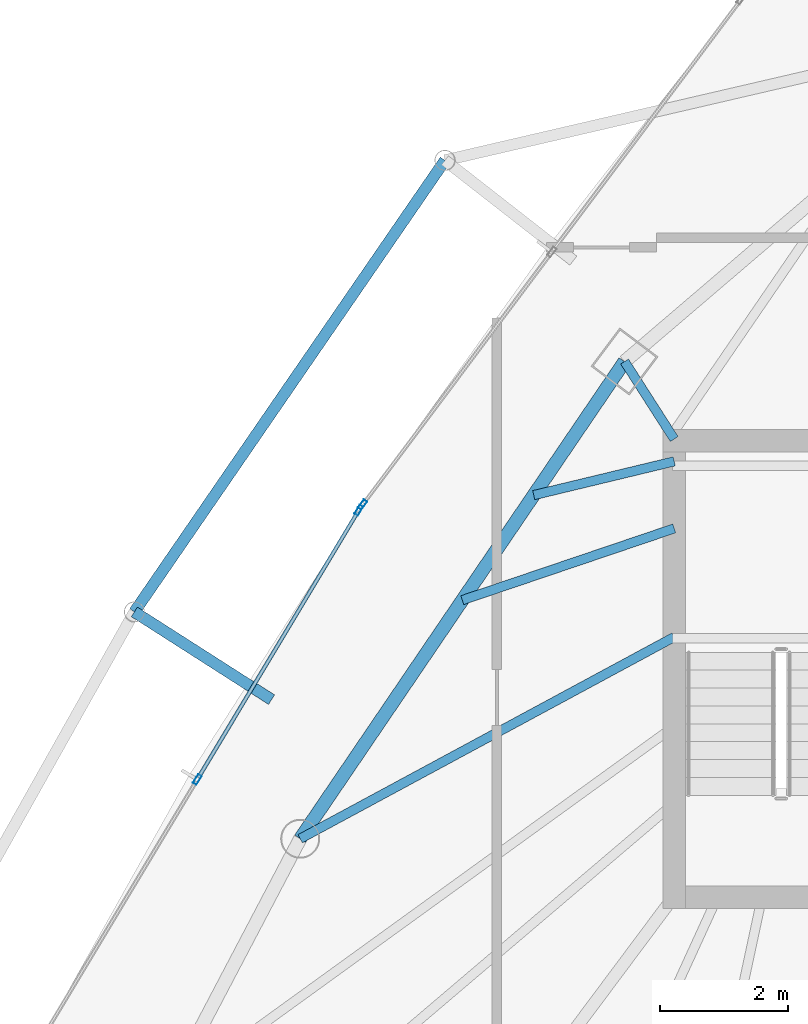
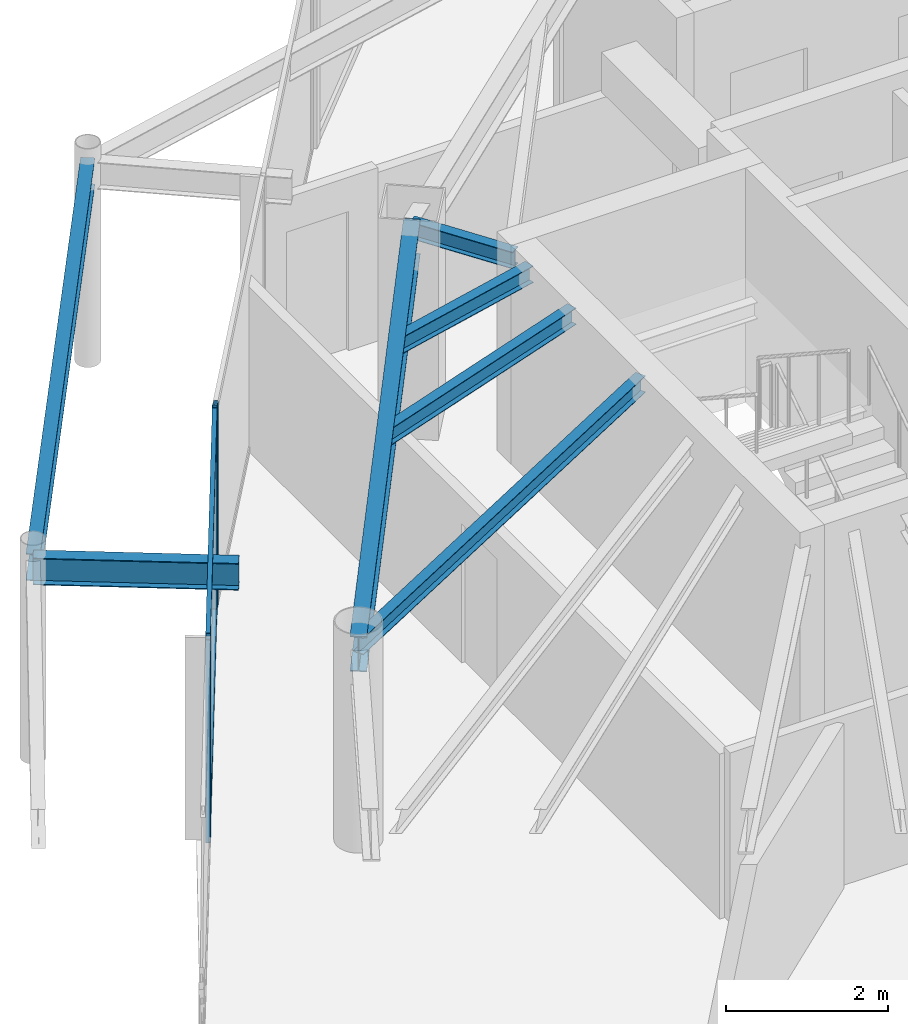
# One storey, part 12 of 30: 7 beams, 5 members, 2 elements without a shape of their own.
"""IFC4 building model written with IfcOpenShell, lengths in metres."""

from ifc_helpers import new_model, si_unit, direction, frame, origin, origin_2d, place, context, subcontext, project, spatial, hollow_rectangle, i_section, extrude, material, layer, layer_set, material_profile, profile_set, type_object, element, aggregate, save


model = new_model("IFC4")

# Units and contexts
model_context = context("Model", 3, precision=1e-05, world=origin(), true_north=direction((0.0, 1.0)))
body_context = subcontext(model_context, "Body", "Model", "MODEL_VIEW")
ifc_project = project(units=[si_unit("LENGTHUNIT", "METRE"), si_unit("AREAUNIT", "SQUARE_METRE"), si_unit("VOLUMEUNIT", "CUBIC_METRE"), si_unit("PLANEANGLEUNIT", "RADIAN"), si_unit("MASSUNIT", "GRAM", prefix="KILO")], contexts=[model_context])

# Site, building, storey
site_placement = place(None, origin())
site = spatial("IfcSite", under=ifc_project, at=site_placement, CompositionType="ELEMENT")
building_placement = place(site_placement, origin())
building = spatial("IfcBuilding", under=site, at=building_placement, Name="Orvanel Arch Residences", CompositionType="ELEMENT")
storey_placement = place(building_placement, frame((0.0, 0.0, 229.39990234375)))
storey = spatial("IfcBuildingStorey", under=building, at=storey_placement, Name="L65", CompositionType="ELEMENT", Elevation=229.39990234375)

# Beams
ifc_material_1 = material(Name="Structural steel AS/NZS 3679.1 Grade 300 (300 MPa)", Category="steel")
ifc_material_profile_1 = material_profile(ifc_material_1, i_section(OverallWidth=0.14599609375, OverallDepth=0.251953125, WebThickness=0.006103515625, FlangeThickness=0.008544921875, at=origin_2d()), Name="250UB31.4")
ifc_profile_set_1 = profile_set([ifc_material_profile_1], Name="Structural steel AS/NZS 3679.1 Grade 300 (300 MPa)")
beam_type_1 = type_object("IfcBeamType", Name="BJ-250UB", PredefinedType="JOIST", material=ifc_profile_set_1)
beam_1_placement = place(storey_placement, frame((26.425048828125, 33.89990234375, 2.93408203125), z_axis=(-0.539395075146, 0.842052820735, 0.0), x_axis=(-0.842052820735, -0.539395075146, 0.0)))
element("IfcBeam", 1, at=beam_1_placement, inside=storey, type_object=beam_type_1, Name="L65 NNW Wing Floor Joist", PredefinedType="JOIST", context=body_context, shape_type="SweptSolid", body=[
    extrude(i_section(OverallWidth=0.14599609375, OverallDepth=0.251953125, WebThickness=0.006103515625, FlangeThickness=0.008544921875, at=origin_2d()), origin(), (0.0, 0.0, 1.0), 1.440673828125),
])
beam_2_placement = place(storey_placement, frame((26.425048828125, 30.800048828125, 2.93408203125), z_axis=(-0.880111494021, -0.474767056664, 0.0), x_axis=(0.474767056664, -0.880111494021, 0.0)))
element("IfcBeam", 2, at=beam_2_placement, inside=storey, type_object=beam_type_1, Name="L65 NW Wing Floor Joist", PredefinedType="JOIST", context=body_context, shape_type="SweptSolid", body=[
    extrude(i_section(OverallWidth=0.14599609375, OverallDepth=0.251953125, WebThickness=0.006103515625, FlangeThickness=0.008544921875, at=origin_2d()), origin(), (0.0, 0.0, 1.0), 6.653564453125),
])
beam_3_placement = place(storey_placement, frame((26.425048828125, 32.5, 2.93408203125), z_axis=(-0.947187956478, -0.320678928373, 0.0), x_axis=(0.320678928373, -0.947187956478, 0.0)))
element("IfcBeam", 3, at=beam_3_placement, inside=storey, type_object=beam_type_1, Name="L65 WNW Wing Floor Joist", PredefinedType="JOIST", context=body_context, shape_type="SweptSolid", body=[
    extrude(i_section(OverallWidth=0.14599609375, OverallDepth=0.251953125, WebThickness=0.006103515625, FlangeThickness=0.008544921875, at=origin_2d()), origin(), (0.0, 0.0, 1.0), 3.502197265625),
])
beam_4_placement = place(storey_placement, frame((26.425048828125, 33.550048828125, 2.93408203125), z_axis=(-0.972256833016, -0.23391590509, 0.0), x_axis=(0.23391590509, -0.972256833016, 0.0)))
element("IfcBeam", 4, at=beam_4_placement, inside=storey, type_object=beam_type_1, Name="L65 JADD3 Wing Floor Joist", PredefinedType="JOIST", context=body_context, shape_type="SweptSolid", body=[
    extrude(i_section(OverallWidth=0.14599609375, OverallDepth=0.251953125, WebThickness=0.006103515625, FlangeThickness=0.008544921875, at=origin_2d()), origin(), (0.0, 0.0, 1.0), 2.26171875),
])

# Curtain wall, member
ifc_material_2 = material(Name="Bronze-anodised aluminium AA6063-T6", Category="aluminium")
ifc_layer = layer(ifc_material_2, 0.175048828125)
ifc_layer_set = layer_set([ifc_layer], Name="Bronze-anodised aluminium AA6063-T6")
curtain_wall_type = type_object("IfcCurtainWallType", Name="CW4-HI-SYS", PredefinedType="NOTDEFINED", material=ifc_layer_set)
curtain_wall_1_placement = place(storey_placement, origin())
curtain_wall_1 = element("IfcCurtainWall", 5, at=curtain_wall_1_placement, inside=storey, type_object=curtain_wall_type, Name="L65 CW4-HI-SYS Unitised Curtain Wall", PredefinedType="NOTDEFINED")
ifc_material_profile_2 = material_profile(ifc_material_2, hollow_rectangle(XDim=0.06494140625, YDim=0.159912109375, WallThickness=0.00390625, at=origin_2d()), Name="ALU160x65x4")
ifc_profile_set_2 = profile_set([ifc_material_profile_2], Name="Bronze-anodised aluminium AA6063-T6")
member_type_1 = type_object("IfcMemberType", Name="MUL-160x65", PredefinedType="MULLION", material=ifc_profile_set_2)
member_1_placement = place(storey_placement, frame((21.54541015625, 32.8720703125, 0.0), z_axis=(0.0, 0.0, 1.0), x_axis=(0.800385756327, -0.599485313473, 0.0)))
member_1 = element("IfcMember", 6, at=member_1_placement, type_object=member_type_1, Name="CW-S4 mullion 3", PredefinedType="MULLION", context=body_context, shape_type="SweptSolid", body=[
    extrude(hollow_rectangle(XDim=0.06494140625, YDim=0.159912109375, WallThickness=0.00390625, at=origin_2d()), origin(), (0.0, 0.0, 1.0), 3.06005859375),
])
aggregate(curtain_wall_1, [member_1])

# Curtain wall, members
curtain_wall_2_placement = place(storey_placement, origin())
curtain_wall_2 = element("IfcCurtainWall", 7, at=curtain_wall_2_placement, inside=storey, type_object=curtain_wall_type, Name="L65 CW4-HI-SYS Unitised Curtain Wall", PredefinedType="NOTDEFINED")
member_2_placement = place(storey_placement, frame((21.4873046875, 32.78515625, 0.0), z_axis=(0.0, 0.0, 1.0), x_axis=(0.857528580719, -0.514436325748, 0.0)))
member_2 = element("IfcMember", 8, at=member_2_placement, type_object=member_type_1, Name="CW-S4 mullion 1", PredefinedType="MULLION", context=body_context, shape_type="SweptSolid", body=[
    extrude(hollow_rectangle(XDim=0.06494140625, YDim=0.159912109375, WallThickness=0.00390625, at=origin_2d()), origin(), (0.0, 0.0, 1.0), 3.06005859375),
])
member_3_placement = place(storey_placement, frame((18.9580078125, 28.569091796875, 0.0), z_axis=(0.0, 0.0, 1.0), x_axis=(0.857528580719, -0.514436325748, 0.0)))
member_3 = element("IfcMember", 9, at=member_3_placement, type_object=member_type_1, Name="CW-S4 mullion 2", PredefinedType="MULLION", context=body_context, shape_type="SweptSolid", body=[
    extrude(hollow_rectangle(XDim=0.06494140625, YDim=0.159912109375, WallThickness=0.00390625, at=origin_2d()), origin(), (0.0, 0.0, 1.0), 3.06005859375),
])

# Beams
ifc_material_profile_3 = material_profile(ifc_material_1, i_section(OverallWidth=0.177978515625, OverallDepth=0.406005859375, WebThickness=0.0078125, FlangeThickness=0.0126953125, at=origin_2d()), Name="410UB59.7")
ifc_profile_set_3 = profile_set([ifc_material_profile_3], Name="Structural steel AS/NZS 3679.1 Grade 300 (300 MPa)")
beam_type_2 = type_object("IfcBeamType", Name="OB-410UB-EXT", PredefinedType="SPANDREL", material=ifc_profile_set_3)
beam_5_placement = place(storey_placement, frame((22.8359375, 38.262939453125, 2.857177734375), z_axis=(-0.566729250938, -0.823904094013, 0.0), x_axis=(0.823904094013, -0.566729250938, 0.0)))
element("IfcBeam", 10, at=beam_5_placement, inside=storey, type_object=beam_type_2, Name="L65 Outer Perimeter Floor Ring Beam 01", PredefinedType="SPANDREL", context=body_context, shape_type="SweptSolid", body=[
    extrude(i_section(OverallWidth=0.177978515625, OverallDepth=0.406005859375, WebThickness=0.0078125, FlangeThickness=0.0126953125, at=origin_2d()), origin(), (0.0, 0.0, 1.0), 8.580810546875),
])
beam_6_placement = place(storey_placement, frame((20.12109375, 29.819091796875, 2.857177734375), z_axis=(-0.842417425066, 0.538825465197, 0.0), x_axis=(-0.538825465197, -0.842417425066, 0.0)))
element("IfcBeam", 11, at=beam_6_placement, inside=storey, type_object=beam_type_2, Name="L65 Outer Frame Radial Tie Beam 02", PredefinedType="SPANDREL", context=body_context, shape_type="SweptSolid", body=[
    extrude(i_section(OverallWidth=0.177978515625, OverallDepth=0.406005859375, WebThickness=0.0078125, FlangeThickness=0.0126953125, at=origin_2d()), origin(), (0.0, 0.0, 1.0), 2.550048828125),
])
ifc_material_profile_4 = material_profile(ifc_material_1, i_section(OverallWidth=0.208984375, OverallDepth=0.532958984375, WebThickness=0.01025390625, FlangeThickness=0.015625, at=origin_2d()), Name="530UB92.4")
ifc_profile_set_4 = profile_set([ifc_material_profile_4], Name="Structural steel AS/NZS 3679.1 Grade 300 (300 MPa)")
beam_type_3 = type_object("IfcBeamType", Name="SP-530UB", PredefinedType="SPANDREL", material=ifc_profile_set_4)
beam_7_placement = place(storey_placement, frame((25.64794921875, 35.113037109375, 2.794189453125), z_axis=(-0.562154793153, -0.827032035978, 0.0), x_axis=(0.827032035978, -0.562154793153, 0.0)))
element("IfcBeam", 12, at=beam_7_placement, inside=storey, type_object=beam_type_3, Name="L65 Perimeter Spandrel Beam 11", PredefinedType="SPANDREL", context=body_context, shape_type="SweptSolid", body=[
    extrude(i_section(OverallWidth=0.208984375, OverallDepth=0.532958984375, WebThickness=0.01025390625, FlangeThickness=0.015625, at=origin_2d()), origin(), (0.0, 0.0, 1.0), 9.03466796875),
])

# Member
ifc_material_profile_5 = material_profile(ifc_material_2, hollow_rectangle(XDim=0.06005859375, YDim=0.1201171875, WallThickness=0.00341796875, at=origin_2d()), Name="ALU120x60x3.5")
ifc_profile_set_5 = profile_set([ifc_material_profile_5], Name="Bronze-anodised aluminium AA6063-T6")
member_type_2 = type_object("IfcMemberType", Name="TRN-120x60", PredefinedType="USERDEFINED", material=ifc_profile_set_5)
member_4_placement = place(storey_placement, frame((21.470458984375, 32.75732421875, 0.030029296875), z_axis=(-0.514436552453, -0.857528444718, 0.0), x_axis=(0.857528444718, -0.514436552453, 0.0)))
member_4 = element("IfcMember", 13, at=member_4_placement, type_object=member_type_2, Name="CW-S4 transom 1.1", ObjectType="TRANSOM", PredefinedType="USERDEFINED", context=body_context, shape_type="SweptSolid", body=[
    extrude(hollow_rectangle(XDim=0.06005859375, YDim=0.1201171875, WallThickness=0.00341796875, at=origin_2d()), origin(), (0.0, 0.0, 1.0), 4.8515625),
])

member_5_placement = place(storey_placement, frame((21.470458984375, 32.75732421875, 3.030029296875), z_axis=(-0.514436552453, -0.857528444718, 0.0), x_axis=(0.857528444718, -0.514436552453, 0.0)))
member_5 = element("IfcMember", 14, at=member_5_placement, type_object=member_type_2, Name="CW-S4 transom 1.2", ObjectType="TRANSOM", PredefinedType="USERDEFINED", context=body_context, shape_type="SweptSolid", body=[
    extrude(hollow_rectangle(XDim=0.06005859375, YDim=0.1201171875, WallThickness=0.00341796875, at=origin_2d()), origin(), (0.0, 0.0, 1.0), 4.8515625),
])

aggregate(curtain_wall_2, [member_2, member_3, member_4, member_5])

save(model, "model.ifc")
